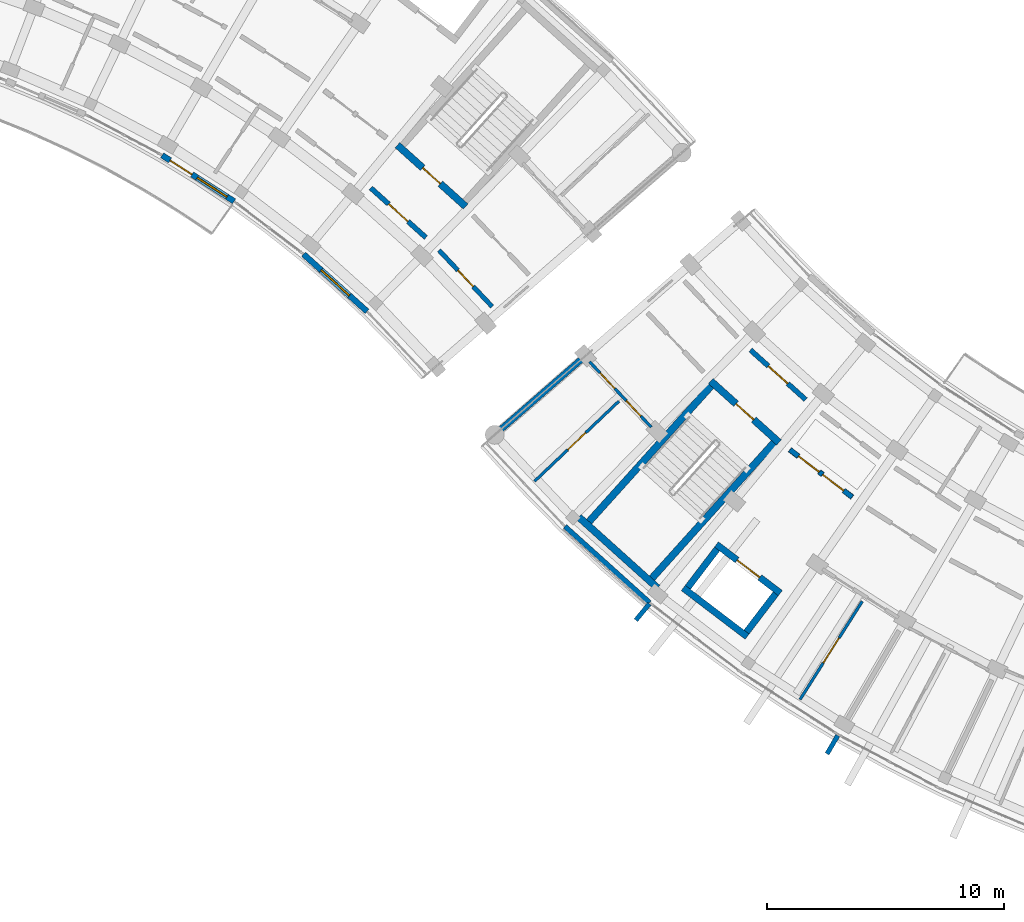
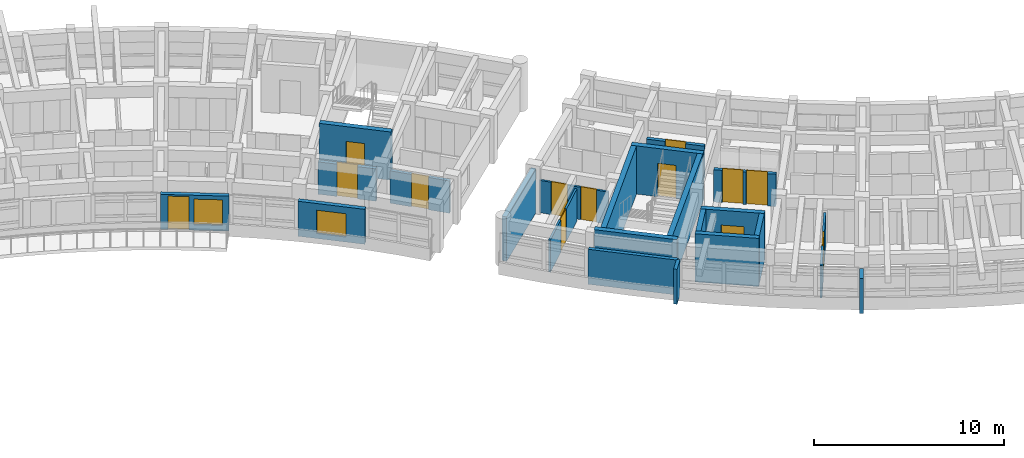
# One storey, part 32 of 56: 22 walls, 13 doors, 2 windows, 15 openings.
"""IFC4 building model written with IfcOpenShell, lengths in metres."""

from ifc_helpers import new_model, si_unit, direction, frame, frame_2d, origin, place, context, subcontext, project, spatial, rectangle, extrude, material, layer, layer_set, type_object, element, fill, save


model = new_model("IFC4")

# Units and contexts
model_context = context("Model", 3, precision=1e-05, world=origin(), true_north=direction((0.0, 1.0)))
body_context = subcontext(model_context, "Body", "Model", "MODEL_VIEW")
ifc_project = project(units=[si_unit("LENGTHUNIT", "METRE"), si_unit("AREAUNIT", "SQUARE_METRE"), si_unit("VOLUMEUNIT", "CUBIC_METRE"), si_unit("PLANEANGLEUNIT", "RADIAN"), si_unit("MASSUNIT", "GRAM", prefix="KILO")], contexts=[model_context])

# Site, building, storey
site_placement = place(None, origin())
site = spatial("IfcSite", under=ifc_project, at=site_placement, CompositionType="ELEMENT")
building_placement = place(site_placement, origin())
building = spatial("IfcBuilding", under=site, at=building_placement, Name="Zimvara Arc Housing Community", CompositionType="ELEMENT")
storey_placement = place(building_placement, frame((0.0, 0.0, 17.39990234375)))
storey = spatial("IfcBuildingStorey", under=building, at=storey_placement, Name="L05", CompositionType="ELEMENT", Elevation=17.39990234375)

# Walls
ifc_material_1 = material(Name="Board-Marked Fair-Faced Concrete C35/45", Category="concrete")
ifc_layer_1 = layer(ifc_material_1, 0.195068359375)
ifc_layer_set_1 = layer_set([ifc_layer_1], Name="Board-Marked Fair-Faced Concrete C35/45")
wall_type_1 = type_object("IfcWallType", Name="EWL-PARA-195", PredefinedType="PARAPET", material=ifc_layer_set_1)
wall_1_placement = place(storey_placement, frame((88.072265625, 64.1025390625, 0.0), z_axis=(0.0, 0.0, 1.0), x_axis=(-0.637967316825, -0.770063440674, 0.0)))
element("IfcWall", 1, at=wall_1_placement, inside=storey, type_object=wall_type_1, Name="finwall:blkC:L05:out:b2", PredefinedType="PARAPET", context=body_context, shape_type="SweptSolid", body=[
    extrude(rectangle(XDim=0.900146484375, YDim=0.195068359375, at=frame_2d((0.4501953125, 0.0))), origin(), (0.0, 0.0, 1.0), 2.25),
])
wall_2_placement = place(storey_placement, frame((96.018798828125, 58.546630859375, 0.0), z_axis=(0.0, 0.0, 1.0), x_axis=(-0.504005947934, -0.863700182035, 0.0)))
element("IfcWall", 2, at=wall_2_placement, inside=storey, type_object=wall_type_1, Name="finwall:blkC:L05:out:b4", PredefinedType="PARAPET", context=body_context, shape_type="SweptSolid", body=[
    extrude(rectangle(XDim=0.89990234375, YDim=0.195068359375, at=frame_2d((0.449951171875, 0.0))), origin(), (0.0, 0.0, 1.0), 2.25),
])

# Wall, openings, door, window
ifc_material_2 = material(Name="Pigmented Fair-Faced Concrete C35/45", Category="concrete")
ifc_layer_2 = layer(ifc_material_2, 0.2451171875)
ifc_layer_set_2 = layer_set([ifc_layer_2], Name="Pigmented Fair-Faced Concrete C35/45")
wall_type_2 = type_object("IfcWallType", Name="EWL-PIGM-245", PredefinedType="SOLIDWALL", material=ifc_layer_set_2)
wall_3_placement = place(storey_placement, frame((67.515380859375, 83.021728515625, 0.0), z_axis=(0.0, 0.0, 1.0), x_axis=(0.84225540507, -0.539078688718, 0.0)))
wall_3 = element("IfcWall", 3, at=wall_3_placement, inside=storey, type_object=wall_type_2, Name="ewall:blkB:L05:in:b6", PredefinedType="SOLIDWALL", context=body_context, shape_type="SweptSolid", body=[
    extrude(rectangle(XDim=3.603515625, YDim=0.2451171875, at=frame_2d((1.8017578125, 0.0))), origin(), (0.0, 0.0, 1.0), 2.25),
])
opening_1_placement = place(wall_3_placement, frame((0.39990234375, 0.0, 0.0)))
opening_1 = element("IfcOpeningElement", 4, at=opening_1_placement, cuts=wall_3, Name="Opening ED06", PredefinedType="OPENING", context=body_context, shape_type="SweptSolid", body=[
    extrude(rectangle(XDim=1.10009765625, YDim=2.14990234375, at=frame_2d((0.550048828125, 1.074951171875))), frame((0.0, 0.132568359375, 0.0), z_axis=(0.0, -1.0, 0.0), x_axis=(1.0, 0.0, 0.0)), (0.0, 0.0, 1.0), 0.26513671875),
])
opening_2_placement = place(wall_3_placement, frame((1.753662109375, 0.0, 0.35009765625)))
opening_2 = element("IfcOpeningElement", 5, at=opening_2_placement, cuts=wall_3, Name="Opening W07", PredefinedType="OPENING", context=body_context, shape_type="SweptSolid", body=[
    extrude(rectangle(XDim=1.5, YDim=1.64990234375, at=frame_2d((0.75, 0.824951171875))), frame((0.0, 0.132568359375, 0.0), z_axis=(0.0, -1.0, 0.0), x_axis=(1.0, 0.0, 0.0)), (0.0, 0.0, 1.0), 0.26513671875),
])
ifc_material_3 = material(Name="Anodised Aluminium AW-6063", Category="aluminium")
door_type_1 = type_object("IfcDoorType", Name="EDR-TERR-1100x2150", OperationType="NOTDEFINED", PredefinedType="DOOR", material=ifc_material_3)
door_1_placement = place(opening_1_placement, origin())
door_1 = element("IfcDoor", 6, at=door_1_placement, inside=storey, type_object=door_type_1, Name="edoor:blkB:L05:bal_in:b6", OperationType="SINGLE_SWING_RIGHT", OverallHeight=2.14990234375, OverallWidth=1.10009765625, PredefinedType="DOOR", context=body_context, shape_type="SweptSolid", body=[
    extrude(rectangle(XDim=1.10009765625, YDim=2.14990234375, at=frame_2d((0.550048828125, 1.074951171875))), frame((0.0, 0.02490234375, 0.0), z_axis=(0.0, -1.0, 0.0), x_axis=(1.0, 0.0, 0.0)), (0.0, 0.0, 1.0), 0.050048828125),
])
fill(opening_1, door_1)
ifc_material_4 = material(Name="Solar Control Low-E Double Glazing", Category="glass")
window_type_1 = type_object("IfcWindowType", Name="WIN-RES-1500x1650", PartitioningType="DOUBLE_PANEL_VERTICAL", PredefinedType="WINDOW", material=ifc_material_4)
window_1_placement = place(opening_2_placement, origin())
window_1 = element("IfcWindow", 7, at=window_1_placement, inside=storey, type_object=window_type_1, Name="win:blkB:L05:in:b6:balw", OverallHeight=1.64990234375, OverallWidth=1.5, PartitioningType="DOUBLE_PANEL_VERTICAL", PredefinedType="WINDOW", context=body_context, shape_type="SweptSolid", body=[
    extrude(rectangle(XDim=1.5, YDim=1.64990234375, at=frame_2d((0.75, 0.824951171875))), frame((0.0, 0.030029296875, 0.0), z_axis=(0.0, -1.0, 0.0), x_axis=(1.0, 0.0, 0.0)), (0.0, 0.0, 1.0), 0.06005859375),
])
fill(opening_2, window_1)

# Wall, opening, window
wall_4_placement = place(storey_placement, frame((73.480712890625, 78.84716796875, 0.0), z_axis=(0.0, 0.0, 1.0), x_axis=(0.743385092197, -0.668863666751, 0.0)))
wall_4 = element("IfcWall", 8, at=wall_4_placement, inside=storey, type_object=wall_type_2, Name="ewall:blkB:L05:in:b8", PredefinedType="SOLIDWALL", context=body_context, shape_type="SweptSolid", body=[
    extrude(rectangle(XDim=3.603759765625, YDim=0.2451171875, at=frame_2d((1.8017578125, 0.0))), origin(), (0.0, 0.0, 1.0), 2.25),
])
opening_3_placement = place(wall_4_placement, frame((1.001708984375, 0.0, 0.320068359375)))
opening_3 = element("IfcOpeningElement", 9, at=opening_3_placement, cuts=wall_4, Name="Opening W03", PredefinedType="OPENING", context=body_context, shape_type="SweptSolid", body=[
    extrude(rectangle(XDim=1.60009765625, YDim=1.5, at=frame_2d((0.800048828125, 0.75))), frame((0.0, 0.132568359375, 0.0), z_axis=(0.0, -1.0, 0.0), x_axis=(1.0, 0.0, 0.0)), (0.0, 0.0, 1.0), 0.26513671875),
])
ifc_material_5 = material(Name="Solar Control Low-E Double Glazing", Category="glass")
window_type_2 = type_object("IfcWindowType", Name="WIN-RES-1600x1500", PartitioningType="DOUBLE_PANEL_VERTICAL", PredefinedType="WINDOW", material=ifc_material_5)
window_2_placement = place(opening_3_placement, origin())
window_2 = element("IfcWindow", 10, at=window_2_placement, inside=storey, type_object=window_type_2, Name="win:blkB:L05:in:b8", OverallHeight=1.5, OverallWidth=1.60009765625, PartitioningType="DOUBLE_PANEL_VERTICAL", PredefinedType="WINDOW", context=body_context, shape_type="SweptSolid", body=[
    extrude(rectangle(XDim=1.60009765625, YDim=1.5, at=frame_2d((0.800048828125, 0.75))), frame((0.0, 0.030029296875, 0.0), z_axis=(0.0, -1.0, 0.0), x_axis=(1.0, 0.0, 0.0)), (0.0, 0.0, 1.0), 0.06005859375),
])
fill(opening_3, window_2)

# Wall
ifc_material_6 = material(Name="Board-Marked Fair-Faced Concrete C35/45", Category="concrete")
ifc_layer_3 = layer(ifc_material_6, 0.2119140625)
ifc_layer_set_3 = layer_set([ifc_layer_3], Name="Board-Marked Fair-Faced Concrete C35/45")
wall_type_3 = type_object("IfcWallType", Name="EWL-VAR-11", PredefinedType="SOLIDWALL", material=ifc_layer_set_3)
wall_5_placement = place(storey_placement, frame((84.508056640625, 67.36328125, 0.0), z_axis=(0.0, 0.0, 1.0), x_axis=(0.743387539862, -0.668860946369, 0.0)))
element("IfcWall", 11, at=wall_5_placement, inside=storey, type_object=wall_type_3, Name="ewall:blkC:L05:out:b1", PredefinedType="SOLIDWALL", context=body_context, shape_type="SweptSolid", body=[
    extrude(rectangle(XDim=4.80908203125, YDim=0.2119140625, at=frame_2d((2.404541015625, 0.0))), origin(), (0.0, 0.0, 1.0), 2.25),
])

# Wall, opening, door
ifc_material_7 = material(Name="Concrete C35/45", Category="concrete")
ifc_layer_4 = layer(ifc_material_7, 0.2099609375)
ifc_layer_set_4 = layer_set([ifc_layer_4], Name="Concrete C35/45")
wall_type_4 = type_object("IfcWallType", Name="IWL-CCF-210", PredefinedType="SOLIDWALL", material=ifc_layer_set_4)
wall_6_placement = place(storey_placement, frame((76.317138671875, 81.644287109375, 0.0), z_axis=(0.0, 0.0, 1.0), x_axis=(0.743387266925, -0.668861249718, 0.0)))
wall_6 = element("IfcWall", 12, at=wall_6_placement, inside=storey, type_object=wall_type_4, Name="iwall:blkB:L05:ccf_div:b8", PredefinedType="SOLIDWALL", context=body_context, shape_type="SweptSolid", body=[
    extrude(rectangle(XDim=3.12841796875, YDim=0.2099609375, at=frame_2d((1.564208984375, 0.0))), origin(), (0.0, 0.0, 1.0), 2.080078125),
])
opening_4_placement = place(wall_6_placement, frame((1.014404296875, 0.0, 0.0)))
opening_4 = element("IfcOpeningElement", 13, at=opening_4_placement, cuts=wall_6, Name="Opening FD-CCF1", PredefinedType="OPENING", context=body_context, shape_type="SweptSolid", body=[
    extrude(rectangle(XDim=1.10009765625, YDim=2.14990234375, at=frame_2d((0.550048828125, 1.074951171875))), frame((0.0, 0.114990234375, 0.0), z_axis=(0.0, -1.0, 0.0), x_axis=(1.0, 0.0, 0.0)), (0.0, 0.0, 1.0), 0.22998046875),
])
ifc_material_8 = material(Name="Anodised Aluminium AW-6063", Category="aluminium")
door_type_2 = type_object("IfcDoorType", Name="IDR-CCF-1100x2150", OperationType="NOTDEFINED", PredefinedType="DOOR", material=ifc_material_8)
door_2_placement = place(opening_4_placement, origin())
door_2 = element("IfcDoor", 14, at=door_2_placement, inside=storey, type_object=door_type_2, Name="idoor:blkB:L05:ccf_in:b8", OperationType="SINGLE_SWING_LEFT", OverallHeight=2.14990234375, OverallWidth=1.10009765625, PredefinedType="DOOR", context=body_context, shape_type="SweptSolid", body=[
    extrude(rectangle(XDim=1.10009765625, YDim=2.14990234375, at=frame_2d((0.550048828125, 1.074951171875))), frame((0.0, 0.02490234375, 0.0), z_axis=(0.0, -1.0, 0.0), x_axis=(1.0, 0.0, 0.0)), (0.0, 0.0, 1.0), 0.050048828125),
])
fill(opening_4, door_2)

wall_7_placement = place(storey_placement, frame((92.337158203125, 74.808349609375, 0.0), z_axis=(0.0, 0.0, 1.0), x_axis=(0.743348465558, -0.668904371904, 0.0)))
wall_7 = element("IfcWall", 15, at=wall_7_placement, inside=storey, type_object=wall_type_4, Name="iwall:blkC:L05:ccf_div:b1", PredefinedType="SOLIDWALL", context=body_context, shape_type="SweptSolid", body=[
    extrude(rectangle(XDim=3.128662109375, YDim=0.2099609375, at=frame_2d((1.564453125, 0.0))), origin(), (0.0, 0.0, 1.0), 2.080078125),
])
opening_5_placement = place(wall_7_placement, frame((1.014404296875, 0.0, 0.0)))
opening_5 = element("IfcOpeningElement", 16, at=opening_5_placement, cuts=wall_7, Name="Opening FD-CCF1", PredefinedType="OPENING", context=body_context, shape_type="SweptSolid", body=[
    extrude(rectangle(XDim=1.10009765625, YDim=2.14990234375, at=frame_2d((0.550048828125, 1.074951171875))), frame((0.0, 0.114990234375, 0.0), z_axis=(0.0, -1.0, 0.0), x_axis=(1.0, 0.0, 0.0)), (0.0, 0.0, 1.0), 0.22998046875),
])
door_3_placement = place(opening_5_placement, origin())
door_3 = element("IfcDoor", 17, at=door_3_placement, inside=storey, type_object=door_type_2, Name="idoor:blkC:L05:ccf_in:b1", OperationType="SINGLE_SWING_RIGHT", OverallHeight=2.14990234375, OverallWidth=1.10009765625, PredefinedType="DOOR", context=body_context, shape_type="SweptSolid", body=[
    extrude(rectangle(XDim=1.10009765625, YDim=2.14990234375, at=frame_2d((0.550048828125, 1.074951171875))), frame((0.0, 0.02490234375, 0.0), z_axis=(0.0, -1.0, 0.0), x_axis=(1.0, 0.0, 0.0)), (0.0, 0.0, 1.0), 0.050048828125),
])
fill(opening_5, door_3)

# Wall, openings, doors
wall_8_placement = place(storey_placement, frame((94.001220703125, 70.6015625, 0.0), z_axis=(0.0, 0.0, 1.0), x_axis=(0.795498026433, -0.605956178235, 0.0)))
wall_8 = element("IfcWall", 18, at=wall_8_placement, inside=storey, type_object=wall_type_4, Name="iwall:blkC:L05:ll_div:b2", PredefinedType="SOLIDWALL", context=body_context, shape_type="SweptSolid", body=[
    extrude(rectangle(XDim=3.296142578125, YDim=0.2099609375, at=frame_2d((1.64794921875, 0.0))), origin(), (0.0, 0.0, 1.0), 2.080078125),
])
opening_6_placement = place(wall_8_placement, frame((0.449951171875, 0.0, 0.0)))
opening_6 = element("IfcOpeningElement", 19, at=opening_6_placement, cuts=wall_8, Name="Opening FD-CCF1", PredefinedType="OPENING", context=body_context, shape_type="SweptSolid", body=[
    extrude(rectangle(XDim=1.10009765625, YDim=2.14990234375, at=frame_2d((0.550048828125, 1.074951171875))), frame((0.0, 0.114990234375, 0.0), z_axis=(0.0, -1.0, 0.0), x_axis=(1.0, 0.0, 0.0)), (0.0, 0.0, 1.0), 0.22998046875),
])
opening_7_placement = place(wall_8_placement, frame((1.72607421875, 0.0, 0.0)))
opening_7 = element("IfcOpeningElement", 20, at=opening_7_placement, cuts=wall_8, Name="Opening D07", PredefinedType="OPENING", context=body_context, shape_type="SweptSolid", body=[
    extrude(rectangle(XDim=1.1201171875, YDim=2.14990234375, at=frame_2d((0.56005859375, 1.074951171875))), frame((0.0, 0.114990234375, 0.0), z_axis=(0.0, -1.0, 0.0), x_axis=(1.0, 0.0, 0.0)), (0.0, 0.0, 1.0), 0.22998046875),
])
ifc_material_9 = material(Name="Mozambican Hardwood", Category="wood")
door_type_3 = type_object("IfcDoorType", Name="IDR-AMN-1120x2150", OperationType="NOTDEFINED", PredefinedType="DOOR", material=ifc_material_9)
door_4_placement = place(opening_7_placement, origin())
door_4 = element("IfcDoor", 21, at=door_4_placement, inside=storey, type_object=door_type_3, Name="idoor:blkC:L05:rs_in:b2", OperationType="SINGLE_SWING_RIGHT", OverallHeight=2.14990234375, OverallWidth=1.1201171875, PredefinedType="DOOR", context=body_context, shape_type="SweptSolid", body=[
    extrude(rectangle(XDim=1.1201171875, YDim=2.14990234375, at=frame_2d((0.56005859375, 1.074951171875))), frame((0.0, 0.02490234375, 0.0), z_axis=(0.0, -1.0, 0.0), x_axis=(1.0, 0.0, 0.0)), (0.0, 0.0, 1.0), 0.050048828125),
])
fill(opening_7, door_4)
door_5_placement = place(opening_6_placement, origin())
door_5 = element("IfcDoor", 22, at=door_5_placement, inside=storey, type_object=door_type_2, Name="idoor:blkC:L05:ll_in:b2", OperationType="SINGLE_SWING_LEFT", OverallHeight=2.14990234375, OverallWidth=1.10009765625, PredefinedType="DOOR", context=body_context, shape_type="SweptSolid", body=[
    extrude(rectangle(XDim=1.10009765625, YDim=2.14990234375, at=frame_2d((0.550048828125, 1.074951171875))), frame((0.0, 0.02490234375, 0.0), z_axis=(0.0, -1.0, 0.0), x_axis=(1.0, 0.0, 0.0)), (0.0, 0.0, 1.0), 0.050048828125),
])
fill(opening_6, door_5)

# Wall, opening, door
ifc_material_10 = material(Name="Concrete C35/45", Category="concrete")
ifc_layer_5 = layer(ifc_material_10, 0.18994140625)
ifc_layer_set_5 = layer_set([ifc_layer_5], Name="Concrete C35/45")
wall_type_5 = type_object("IfcWallType", Name="IWL-CORR-190", PredefinedType="SOLIDWALL", material=ifc_layer_set_5)
wall_9_placement = place(storey_placement, frame((79.1953125, 79.016357421875, 0.0), z_axis=(0.0, 0.0, 1.0), x_axis=(0.686307658735, -0.727311348434, 0.0)))
wall_9 = element("IfcWall", 23, at=wall_9_placement, inside=storey, type_object=wall_type_5, Name="iwall:blkB:L05:corr_in:b9", PredefinedType="SOLIDWALL", context=body_context, shape_type="SweptSolid", body=[
    extrude(rectangle(XDim=3.268798828125, YDim=0.18994140625, at=frame_2d((1.63427734375, 0.0))), origin(), (0.0, 0.0, 1.0), 2.080078125),
])
opening_8_placement = place(wall_9_placement, frame((1.164306640625, 0.0, 0.0)))
opening_8 = element("IfcOpeningElement", 24, at=opening_8_placement, cuts=wall_9, Name="Opening D03", PredefinedType="OPENING", context=body_context, shape_type="SweptSolid", body=[
    extrude(rectangle(XDim=0.93994140625, YDim=2.10009765625, at=frame_2d((0.469970703125, 1.050048828125))), frame((0.0, 0.10498046875, 0.0), z_axis=(0.0, -1.0, 0.0), x_axis=(1.0, 0.0, 0.0)), (0.0, 0.0, 1.0), 0.2099609375),
])
ifc_material_11 = material(Name="Mozambican Hardwood", Category="wood")
door_type_4 = type_object("IfcDoorType", Name="IDR-RM-0940x2100", OperationType="NOTDEFINED", PredefinedType="DOOR", material=ifc_material_11)
door_6_placement = place(opening_8_placement, origin())
door_6 = element("IfcDoor", 25, at=door_6_placement, inside=storey, type_object=door_type_4, Name="idoor:blkB:L05:in_rm:b9", OperationType="SINGLE_SWING_LEFT", OverallHeight=2.10009765625, OverallWidth=0.93994140625, PredefinedType="DOOR", context=body_context, shape_type="SweptSolid", body=[
    extrude(rectangle(XDim=0.93994140625, YDim=2.10009765625, at=frame_2d((0.469970703125, 1.050048828125))), frame((0.0, 0.02490234375, 0.0), z_axis=(0.0, -1.0, 0.0), x_axis=(1.0, 0.0, 0.0)), (0.0, 0.0, 1.0), 0.050048828125),
])
fill(opening_8, door_6)

ifc_material_12 = material(Name="Painted Acoustic Plasterboard")
ifc_layer_6 = layer(ifc_material_12, 0.1201171875)
ifc_layer_set_6 = layer_set([ifc_layer_6], Name="Painted Acoustic Plasterboard")
wall_type_6 = type_object("IfcWallType", Name="IWL-PART-120", PredefinedType="PARTITIONING", material=ifc_layer_set_6)
wall_10_placement = place(storey_placement, frame((86.78173828125, 72.645751953125, 0.0), z_axis=(0.0, 0.0, 1.0), x_axis=(-0.725204659953, -0.688533369694, 0.0)))
wall_10 = element("IfcWall", 26, at=wall_10_placement, inside=storey, type_object=wall_type_6, Name="iwall:blkC:L05:bed_div:b0", PredefinedType="PARTITIONING", context=body_context, shape_type="SweptSolid", body=[
    extrude(rectangle(XDim=4.89990234375, YDim=0.1201171875, at=frame_2d((2.449951171875, 0.0))), origin(), (0.0, 0.0, 1.0), 2.080078125),
])
opening_9_placement = place(wall_10_placement, frame((1.919921875, 0.0, 0.0)))
opening_9 = element("IfcOpeningElement", 27, at=opening_9_placement, cuts=wall_10, Name="Opening D16", PredefinedType="OPENING", context=body_context, shape_type="SweptSolid", body=[
    extrude(rectangle(XDim=1.06005859375, YDim=2.10009765625, at=frame_2d((0.530029296875, 1.050048828125))), frame((0.0, 0.070068359375, 0.0), z_axis=(0.0, -1.0, 0.0), x_axis=(1.0, 0.0, 0.0)), (0.0, 0.0, 1.0), 0.14013671875),
])
ifc_material_13 = material(Name="Mozambican Hardwood", Category="wood")
door_type_5 = type_object("IfcDoorType", Name="IDR-MOD-1060x2220", OperationType="NOTDEFINED", PredefinedType="DOOR", material=ifc_material_13)
door_7_placement = place(opening_9_placement, origin())
door_7 = element("IfcDoor", 28, at=door_7_placement, inside=storey, type_object=door_type_5, Name="idoor:blkC:L05:bed_d:b0", OperationType="SINGLE_SWING_LEFT", OverallHeight=2.10009765625, OverallWidth=1.06005859375, PredefinedType="DOOR", context=body_context, shape_type="SweptSolid", body=[
    extrude(rectangle(XDim=1.06005859375, YDim=2.10009765625, at=frame_2d((0.530029296875, 1.050048828125))), frame((0.0, 0.02490234375, 0.0), z_axis=(0.0, -1.0, 0.0), x_axis=(1.0, 0.0, 0.0)), (0.0, 0.0, 1.0), 0.050048828125),
])
fill(opening_9, door_7)

wall_11_placement = place(storey_placement, frame((97.0498046875, 64.204345703125, 0.0), z_axis=(0.0, 0.0, 1.0), x_axis=(-0.535246458955, -0.844695938297, 0.0)))
wall_11 = element("IfcWall", 29, at=wall_11_placement, inside=storey, type_object=wall_type_6, Name="iwall:blkC:L05:bed_div:b3", PredefinedType="PARTITIONING", context=body_context, shape_type="SweptSolid", body=[
    extrude(rectangle(XDim=4.900146484375, YDim=0.1201171875, at=frame_2d((2.4501953125, 0.0))), origin(), (0.0, 0.0, 1.0), 2.080078125),
])
opening_10_placement = place(wall_11_placement, frame((1.830078125, 0.0, 0.0)))
opening_10 = element("IfcOpeningElement", 30, at=opening_10_placement, cuts=wall_11, Name="Opening D19", PredefinedType="OPENING", context=body_context, shape_type="SweptSolid", body=[
    extrude(rectangle(XDim=1.239990234375, YDim=2.10009765625, at=frame_2d((0.6201171875, 1.050048828125))), frame((0.0, 0.070068359375, 0.0), z_axis=(0.0, -1.0, 0.0), x_axis=(1.0, 0.0, 0.0)), (0.0, 0.0, 1.0), 0.14013671875),
])
ifc_material_14 = material(Name="Mozambican Hardwood", Category="wood")
door_type_6 = type_object("IfcDoorType", Name="IDR-MOD-1240x2180", OperationType="NOTDEFINED", PredefinedType="DOOR", material=ifc_material_14)
door_8_placement = place(opening_10_placement, origin())
door_8 = element("IfcDoor", 31, at=door_8_placement, inside=storey, type_object=door_type_6, Name="idoor:blkC:L05:bed_d:b3", OperationType="SINGLE_SWING_LEFT", OverallHeight=2.10009765625, OverallWidth=1.239990234375, PredefinedType="DOOR", context=body_context, shape_type="SweptSolid", body=[
    extrude(rectangle(XDim=1.239990234375, YDim=2.10009765625, at=frame_2d((0.6201171875, 1.050048828125))), frame((0.0, 0.02490234375, 0.0), z_axis=(0.0, -1.0, 0.0), x_axis=(1.0, 0.0, 0.0)), (0.0, 0.0, 1.0), 0.050048828125),
])
fill(opening_10, door_8)

# Wall, openings, doors
ifc_material_15 = material(Name="Painted Acoustic Plasterboard")
ifc_layer_7 = layer(ifc_material_15, 0.125)
ifc_layer_set_7 = layer_set([ifc_layer_7], Name="Painted Acoustic Plasterboard")
wall_type_7 = type_object("IfcWallType", Name="IWL-PART-125", PredefinedType="PARTITIONING", material=ifc_layer_set_7)
wall_12_placement = place(storey_placement, frame((85.544677734375, 74.31298828125, 0.0), z_axis=(0.0, 0.0, 1.0), x_axis=(0.686332741542, -0.727287678906, 0.0)))
wall_12 = element("IfcWall", 32, at=wall_12_placement, inside=storey, type_object=wall_type_7, Name="iwall:blkC:L05:srv:b0", PredefinedType="PARTITIONING", context=body_context, shape_type="SweptSolid", body=[
    extrude(rectangle(XDim=3.79736328125, YDim=0.125, at=frame_2d((1.898681640625, 0.0))), origin(), (0.0, 0.0, 1.0), 2.080078125),
])
opening_11_placement = place(wall_12_placement, frame((0.64990234375, 0.0, 0.0)))
opening_11 = element("IfcOpeningElement", 33, at=opening_11_placement, cuts=wall_12, Name="Opening D01", PredefinedType="OPENING", context=body_context, shape_type="SweptSolid", body=[
    extrude(rectangle(XDim=0.89990234375, YDim=2.10009765625, at=frame_2d((0.449951171875, 1.050048828125))), frame((0.0, 0.072509765625, 0.0), z_axis=(0.0, -1.0, 0.0), x_axis=(1.0, 0.0, 0.0)), (0.0, 0.0, 1.0), 0.14501953125),
])
opening_12_placement = place(wall_12_placement, frame((2.267333984375, 0.0, 0.0)))
opening_12 = element("IfcOpeningElement", 34, at=opening_12_placement, cuts=wall_12, Name="Opening D05", PredefinedType="OPENING", context=body_context, shape_type="SweptSolid", body=[
    extrude(rectangle(XDim=0.8798828125, YDim=2.10009765625, at=frame_2d((0.43994140625, 1.050048828125))), frame((0.0, 0.072509765625, 0.0), z_axis=(0.0, -1.0, 0.0), x_axis=(1.0, 0.0, 0.0)), (0.0, 0.0, 1.0), 0.14501953125),
])
ifc_material_16 = material(Name="Mozambican Hardwood", Category="wood")
door_type_7 = type_object("IfcDoorType", Name="IDR-RM-0900x2100", OperationType="NOTDEFINED", PredefinedType="DOOR", material=ifc_material_16)
door_9_placement = place(opening_11_placement, origin())
door_9 = element("IfcDoor", 35, at=door_9_placement, inside=storey, type_object=door_type_7, Name="idoor:blkC:L05:kit_liv:b0", OperationType="SINGLE_SWING_LEFT", OverallHeight=2.10009765625, OverallWidth=0.89990234375, PredefinedType="DOOR", context=body_context, shape_type="SweptSolid", body=[
    extrude(rectangle(XDim=0.89990234375, YDim=2.10009765625, at=frame_2d((0.449951171875, 1.050048828125))), frame((0.0, 0.02490234375, 0.0), z_axis=(0.0, -1.0, 0.0), x_axis=(1.0, 0.0, 0.0)), (0.0, 0.0, 1.0), 0.050048828125),
])
fill(opening_11, door_9)
ifc_material_17 = material(Name="Mozambican Hardwood", Category="wood")
door_type_8 = type_object("IfcDoorType", Name="IDR-WC-0880x2100", OperationType="NOTDEFINED", PredefinedType="DOOR", material=ifc_material_17)
door_10_placement = place(opening_12_placement, origin())
door_10 = element("IfcDoor", 36, at=door_10_placement, inside=storey, type_object=door_type_8, Name="idoor:blkC:L05:bath_d:b0", OperationType="SINGLE_SWING_RIGHT", OverallHeight=2.10009765625, OverallWidth=0.8798828125, PredefinedType="DOOR", context=body_context, shape_type="SweptSolid", body=[
    extrude(rectangle(XDim=0.8798828125, YDim=2.10009765625, at=frame_2d((0.43994140625, 1.050048828125))), frame((0.0, 0.02490234375, 0.0), z_axis=(0.0, -1.0, 0.0), x_axis=(1.0, 0.0, 0.0)), (0.0, 0.0, 1.0), 0.050048828125),
])
fill(opening_12, door_10)

# Wall, opening, door
ifc_material_18 = material(Name="Concrete C40/50", Category="concrete")
ifc_layer_8 = layer(ifc_material_18, 0.280029296875)
ifc_layer_set_8 = layer_set([ifc_layer_8], Name="Concrete C40/50")
wall_type_8 = type_object("IfcWallType", Name="WL-CORE-280", PredefinedType="SHEAR", material=ifc_layer_set_8)
wall_13_placement = place(storey_placement, frame((90.8994140625, 66.607177734375, 0.0), z_axis=(0.0, 0.0, 1.0), x_axis=(0.795439986025, -0.606032365994, 0.0)))
wall_13 = element("IfcWall", 37, at=wall_13_placement, inside=storey, type_object=wall_type_8, Name="lwall:LF-C1:L05:front", PredefinedType="SHEAR", context=body_context, shape_type="SweptSolid", body=[
    extrude(rectangle(XDim=3.389892578125, YDim=0.280029296875, at=frame_2d((1.69482421875, 0.0))), origin(), (0.0, 0.0, 1.0), 3.10009765625),
])
opening_13_placement = place(wall_13_placement, frame((1.094970703125, 0.0, 0.0)))
opening_13 = element("IfcOpeningElement", 38, at=opening_13_placement, cuts=wall_13, Name="Opening LD-LF-C1", PredefinedType="OPENING", context=body_context, shape_type="SweptSolid", body=[
    extrude(rectangle(XDim=1.199951171875, YDim=2.14990234375, at=frame_2d((0.60009765625, 1.074951171875))), frame((0.0, 0.14990234375, 0.0), z_axis=(0.0, -1.0, 0.0), x_axis=(1.0, 0.0, 0.0)), (0.0, 0.0, 1.0), 0.300048828125),
])
ifc_material_19 = material(Name="Anodised Aluminium AW-6063", Category="aluminium")
door_type_9 = type_object("IfcDoorType", Name="IDR-LD-1200x2150", OperationType="DOUBLE_DOOR_SLIDING", PredefinedType="DOOR", material=ifc_material_19)
door_11_placement = place(opening_13_placement, origin())
door_11 = element("IfcDoor", 39, at=door_11_placement, inside=storey, type_object=door_type_9, Name="Lift LF-C1 Sliding Landing Door L05", OperationType="DOUBLE_DOOR_SLIDING", OverallHeight=2.14990234375, OverallWidth=1.199951171875, PredefinedType="DOOR", context=body_context, shape_type="SweptSolid", body=[
    extrude(rectangle(XDim=1.199951171875, YDim=2.14990234375, at=frame_2d((0.60009765625, 1.074951171875))), frame((0.0, 0.02490234375, 0.0), z_axis=(0.0, -1.0, 0.0), x_axis=(1.0, 0.0, 0.0)), (0.0, 0.0, 1.0), 0.050048828125),
])
fill(opening_13, door_11)

# Walls
wall_14_placement = place(storey_placement, frame((89.49951171875, 64.76953125, 0.0), z_axis=(0.0, 0.0, 1.0), x_axis=(0.795474703455, -0.605986795371, 0.0)))
element("IfcWall", 40, at=wall_14_placement, inside=storey, type_object=wall_type_8, Name="lwall:LF-C1:L05:back", PredefinedType="SHEAR", context=body_context, shape_type="SweptSolid", body=[
    extrude(rectangle(XDim=3.389892578125, YDim=0.280029296875, at=frame_2d((1.69482421875, 0.0))), origin(), (0.0, 0.0, 1.0), 3.10009765625),
])
wall_15_placement = place(storey_placement, frame((90.92578125, 66.410888671875, 0.0), z_axis=(0.0, 0.0, 1.0), x_axis=(-0.605948992168, -0.795503500238, 0.0)))
element("IfcWall", 41, at=wall_15_placement, inside=storey, type_object=wall_type_8, Name="lwall:LF-C1:L05:left", PredefinedType="SHEAR", context=body_context, shape_type="SweptSolid", body=[
    extrude(rectangle(XDim=2.02978515625, YDim=0.280029296875, at=frame_2d((1.014892578125, 0.0))), origin(), (0.0, 0.0, 1.0), 3.10009765625),
])
wall_16_placement = place(storey_placement, frame((93.399658203125, 64.5263671875, 0.0), z_axis=(0.0, 0.0, 1.0), x_axis=(-0.605891019062, -0.795547656033, 0.0)))
element("IfcWall", 42, at=wall_16_placement, inside=storey, type_object=wall_type_8, Name="lwall:LF-C1:L05:right", PredefinedType="SHEAR", context=body_context, shape_type="SweptSolid", body=[
    extrude(rectangle(XDim=2.030029296875, YDim=0.280029296875, at=frame_2d((1.01513671875, 0.0))), origin(), (0.0, 0.0, 1.0), 3.10009765625),
])

# Wall, opening, door
ifc_material_20 = material(Name="Concrete C40/50", Category="concrete")
ifc_layer_9 = layer(ifc_material_20, 0.300048828125)
ifc_layer_set_9 = layer_set([ifc_layer_9], Name="Concrete C40/50")
wall_type_9 = type_object("IfcWallType", Name="WL-CORE-300", PredefinedType="SHEAR", material=ifc_layer_set_9)
wall_17_placement = place(storey_placement, frame((80.320068359375, 80.861572265625, 0.0), z_axis=(0.0, 0.0, 1.0), x_axis=(-0.743375696158, 0.668874109501, 0.0)))
wall_17 = element("IfcWall", 43, at=wall_17_placement, inside=storey, type_object=wall_type_9, Name="cwall:ST-B2:L05:near", PredefinedType="SHEAR", context=body_context, shape_type="SweptSolid", body=[
    extrude(rectangle(XDim=3.8701171875, YDim=0.300048828125, at=frame_2d((1.93505859375, 0.0))), origin(), (0.0, 0.0, 1.0), 3.10009765625),
])
opening_14_placement = place(wall_17_placement, frame((1.43505859375, 0.0, 0.0)))
opening_14 = element("IfcOpeningElement", 44, at=opening_14_placement, cuts=wall_17, Name="Opening FD-ST1", PredefinedType="OPENING", context=body_context, shape_type="SweptSolid", body=[
    extrude(rectangle(XDim=1.0, YDim=2.14990234375, at=frame_2d((0.5, 1.074951171875))), frame((0.0, 0.159912109375, 0.0), z_axis=(0.0, -1.0, 0.0), x_axis=(1.0, 0.0, 0.0)), (0.0, 0.0, 1.0), 0.320068359375),
])
ifc_material_21 = material(Name="Anodised Aluminium AW-6063", Category="aluminium")
door_type_10 = type_object("IfcDoorType", Name="IDR-ST-1000x2150", OperationType="NOTDEFINED", PredefinedType="DOOR", material=ifc_material_21)
door_12_placement = place(opening_14_placement, origin())
door_12 = element("IfcDoor", 45, at=door_12_placement, inside=storey, type_object=door_type_10, Name="idoor:ST-B2:L05:entry", OperationType="SINGLE_SWING_LEFT", OverallHeight=2.14990234375, OverallWidth=1.0, PredefinedType="DOOR", context=body_context, shape_type="SweptSolid", body=[
    extrude(rectangle(XDim=1.0, YDim=2.14990234375, at=frame_2d((0.5, 1.074951171875))), frame((0.0, 0.02490234375, 0.0), z_axis=(0.0, -1.0, 0.0), x_axis=(1.0, 0.0, 0.0)), (0.0, 0.0, 1.0), 0.050048828125),
])
fill(opening_14, door_12)

wall_18_placement = place(storey_placement, frame((90.659912109375, 73.49853515625, 0.0), z_axis=(0.0, 0.0, 1.0), x_axis=(0.743375696158, -0.668874109501, 0.0)))
wall_18 = element("IfcWall", 46, at=wall_18_placement, inside=storey, type_object=wall_type_9, Name="cwall:ST-C1:L05:near", PredefinedType="SHEAR", context=body_context, shape_type="SweptSolid", body=[
    extrude(rectangle(XDim=3.8701171875, YDim=0.300048828125, at=frame_2d((1.93505859375, 0.0))), origin(), (0.0, 0.0, 1.0), 3.10009765625),
])
opening_15_placement = place(wall_18_placement, frame((1.43505859375, 0.0, 0.0)))
opening_15 = element("IfcOpeningElement", 47, at=opening_15_placement, cuts=wall_18, Name="Opening FD-ST1", PredefinedType="OPENING", context=body_context, shape_type="SweptSolid", body=[
    extrude(rectangle(XDim=1.0, YDim=2.14990234375, at=frame_2d((0.5, 1.074951171875))), frame((0.0, 0.159912109375, 0.0), z_axis=(0.0, -1.0, 0.0), x_axis=(1.0, 0.0, 0.0)), (0.0, 0.0, 1.0), 0.320068359375),
])
door_13_placement = place(opening_15_placement, origin())
door_13 = element("IfcDoor", 48, at=door_13_placement, inside=storey, type_object=door_type_10, Name="idoor:ST-C1:L05:entry", OperationType="SINGLE_SWING_LEFT", OverallHeight=2.14990234375, OverallWidth=1.0, PredefinedType="DOOR", context=body_context, shape_type="SweptSolid", body=[
    extrude(rectangle(XDim=1.0, YDim=2.14990234375, at=frame_2d((0.5, 1.074951171875))), frame((0.0, 0.02490234375, 0.0), z_axis=(0.0, -1.0, 0.0), x_axis=(1.0, 0.0, 0.0)), (0.0, 0.0, 1.0), 0.050048828125),
])
fill(opening_15, door_13)

# Walls
wall_19_placement = place(storey_placement, frame((85.092529296875, 67.759521484375, 0.0), z_axis=(0.0, 0.0, 1.0), x_axis=(0.743372896184, -0.668877221333, 0.0)))
element("IfcWall", 49, at=wall_19_placement, inside=storey, type_object=wall_type_9, Name="cwall:ST-C1:L05:far", PredefinedType="SHEAR", context=body_context, shape_type="SweptSolid", body=[
    extrude(rectangle(XDim=4.47021484375, YDim=0.300048828125, at=frame_2d((2.235107421875, 0.0))), origin(), (0.0, 0.0, 1.0), 3.10009765625),
])
wall_20_placement = place(storey_placement, frame((90.671142578125, 73.28662109375, 0.0), z_axis=(0.0, 0.0, 1.0), x_axis=(-0.668885797871, -0.743365179038, 0.0)))
element("IfcWall", 50, at=wall_20_placement, inside=storey, type_object=wall_type_9, Name="cwall:ST-C1:L05:left", PredefinedType="SHEAR", context=body_context, shape_type="SweptSolid", body=[
    extrude(rectangle(XDim=7.690185546875, YDim=0.300048828125, at=frame_2d((3.84521484375, 0.0))), origin(), (0.0, 0.0, 1.0), 3.10009765625),
])
wall_21_placement = place(storey_placement, frame((93.324951171875, 70.898681640625, 0.0), z_axis=(0.0, 0.0, 1.0), x_axis=(-0.668868253964, -0.743380964808, 0.0)))
element("IfcWall", 51, at=wall_21_placement, inside=storey, type_object=wall_type_9, Name="cwall:ST-C1:L05:right", PredefinedType="SHEAR", context=body_context, shape_type="SweptSolid", body=[
    extrude(rectangle(XDim=7.68994140625, YDim=0.300048828125, at=frame_2d((3.844970703125, 0.0))), origin(), (0.0, 0.0, 1.0), 3.10009765625),
])
ifc_material_22 = material(Name="Concrete C40/50", Category="concrete")
ifc_layer_10 = layer(ifc_material_22, 0.27001953125)
ifc_layer_set_10 = layer_set([ifc_layer_10], Name="Concrete C40/50")
wall_type_10 = type_object("IfcWallType", Name="WL-SHEAR-270", PredefinedType="SHEAR", material=ifc_layer_set_10)
wall_22_placement = place(storey_placement, frame((85.24072265625, 74.446044921875, 0.0), z_axis=(0.0, 0.0, 1.0), x_axis=(-0.754703505217, -0.65606601742, 0.0)))
element("IfcWall", 52, at=wall_22_placement, inside=storey, type_object=wall_type_10, Name="swall:blkC:L05:west", PredefinedType="SHEAR", context=body_context, shape_type="SweptSolid", body=[
    extrude(rectangle(XDim=4.719970703125, YDim=0.27001953125, at=frame_2d((2.35986328125, 0.0))), origin(), (0.0, 0.0, 1.0), 2.860107421875),
])

save(model, "model.ifc")
